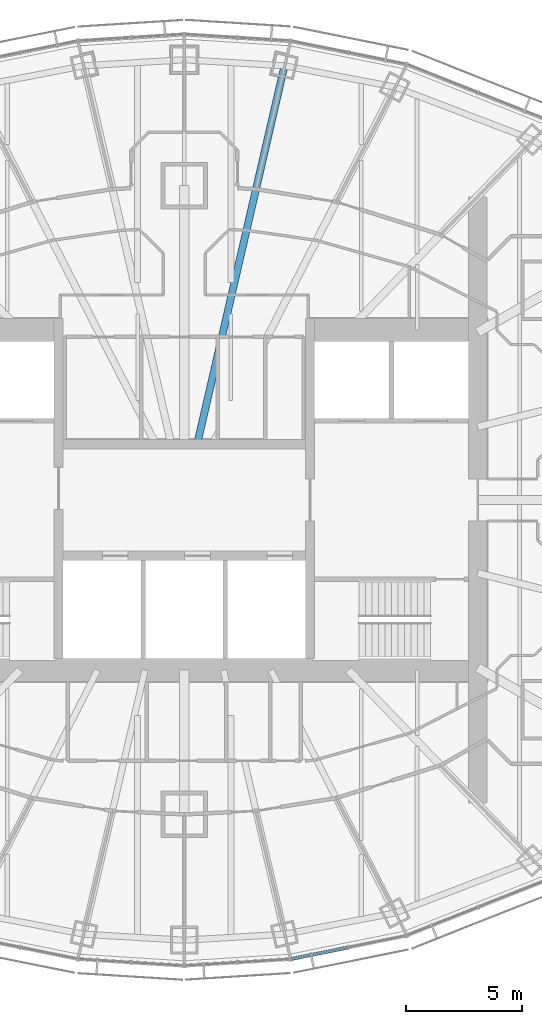
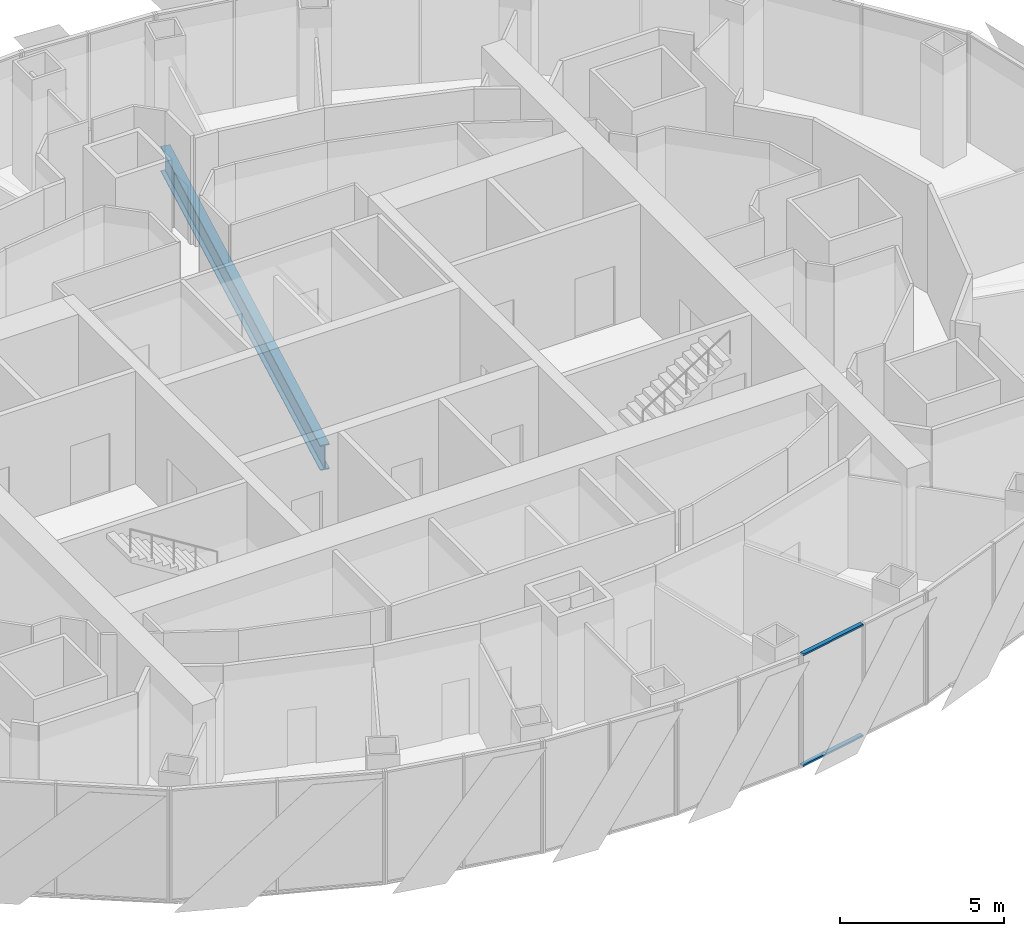
# One storey, part 5 of 18: 2 members, 1 beam, 1 element without a shape of its own.
"""IFC4 building model written with IfcOpenShell, lengths in metres."""

from ifc_helpers import new_model, si_unit, direction, frame, origin, origin_2d, place, context, subcontext, project, spatial, rectangle, i_section, extrude, material, material_profile, profile_set, type_object, element, aggregate, save


model = new_model("IFC4")

# Units and contexts
model_context = context("Model", 3, precision=1e-05, world=origin(), true_north=direction((0.0, 1.0)))
body_context = subcontext(model_context, "Body", "Model", "MODEL_VIEW")
ifc_project = project(units=[si_unit("LENGTHUNIT", "METRE"), si_unit("AREAUNIT", "SQUARE_METRE"), si_unit("VOLUMEUNIT", "CUBIC_METRE"), si_unit("PLANEANGLEUNIT", "RADIAN"), si_unit("MASSUNIT", "GRAM", prefix="KILO")], contexts=[model_context])

# Site, building, storey
site_placement = place(None, origin())
site = spatial("IfcSite", under=ifc_project, at=site_placement, CompositionType="ELEMENT")
building_placement = place(site_placement, origin())
building = spatial("IfcBuilding", under=site, at=building_placement, Name="Lantaw Convention Tower", CompositionType="ELEMENT")
storey_placement = place(building_placement, frame((0.0, 0.0, 236.800048828125)))
storey = spatial("IfcBuildingStorey", under=building, at=storey_placement, Name="L55", CompositionType="ELEMENT", Elevation=236.800048828125)

# Beam
ifc_material_1 = material(Name="Steel ASTM A992", Category="steel")
ifc_material_profile_1 = material_profile(ifc_material_1, i_section(OverallWidth=0.307373046875, OverallDepth=0.9423828125, WebThickness=0.022216796875, FlangeThickness=0.039794921875, FilletRadius=0.0126953125, at=origin_2d()), Name="W36X232")
ifc_profile_set_1 = profile_set([ifc_material_profile_1], Name="Steel ASTM A992")
beam_type = type_object("IfcBeamType", Name="Beam G W36X232", PredefinedType="BEAM", material=ifc_profile_set_1)
beam_placement = place(storey_placement, frame((0.55419921875, 2.39990234375, -0.621337890625), z_axis=(0.224948287002, 0.974370703672, 0.0), x_axis=(-0.974370703672, 0.224948287002, 0.0)))
element("IfcBeam", 1, at=beam_placement, inside=storey, type_object=beam_type, Name="Floor girder on ray 6", PredefinedType="BEAM", context=body_context, shape_type="SweptSolid", body=[
    extrude(i_section(OverallWidth=0.307373046875, OverallDepth=0.9423828125, WebThickness=0.022216796875, FlangeThickness=0.039794921875, FilletRadius=0.0126953125, at=origin_2d()), origin(), (0.0, 0.0, 1.0), 16.66943359375),
])

# Curtain wall, members
ifc_material_2 = material(Name="Aluminium framed curtain wall", Category="aluminium")
curtain_wall_type = type_object("IfcCurtainWallType", Name="Office curtain wall high rise, pale aluminium", PredefinedType="USERDEFINED", material=ifc_material_2)
curtain_wall_placement = place(storey_placement, origin())
curtain_wall = element("IfcCurtainWall", 2, at=curtain_wall_placement, inside=storey, type_object=curtain_wall_type, Name="Office curtain wall high rise, pale aluminium L55", ObjectType="UNITISED CURTAIN WALL", PredefinedType="USERDEFINED")
ifc_material_3 = material(Name="Aluminium 6063-T6", Category="aluminium")
ifc_material_profile_2 = material_profile(ifc_material_3, rectangle(XDim=0.14990234375, YDim=0.06494140625, at=origin_2d()), Name="CW-O2 transom 65x150")
ifc_profile_set_2 = profile_set([ifc_material_profile_2], Name="Aluminium 6063-T6")
member_type = type_object("IfcMemberType", Name="CW-O2 transom 65x150", PredefinedType="USERDEFINED", material=ifc_profile_set_2)
member_1_placement = place(storey_placement, frame((4.614990234375, -19.700927734375, -0.117431640625), z_axis=(0.980380354178, 0.197115096178, 0.0), x_axis=(-0.197115096178, 0.980380354178, 0.0)))
member_1 = element("IfcMember", 3, at=member_1_placement, type_object=member_type, Name="CW-O2 transom 1.1", ObjectType="TRANSOM", PredefinedType="USERDEFINED", context=body_context, shape_type="SweptSolid", body=[
    extrude(rectangle(XDim=0.14990234375, YDim=0.06494140625, at=origin_2d()), origin(), (0.0, 0.0, 1.0), 2.443603515625),
])
member_2_placement = place(storey_placement, frame((4.614990234375, -19.700927734375, 4.017333984375), z_axis=(0.980380354178, 0.197115096178, 0.0), x_axis=(-0.197115096178, 0.980380354178, 0.0)))
member_2 = element("IfcMember", 4, at=member_2_placement, type_object=member_type, Name="CW-O2 transom 1.2", ObjectType="TRANSOM", PredefinedType="USERDEFINED", context=body_context, shape_type="SweptSolid", body=[
    extrude(rectangle(XDim=0.14990234375, YDim=0.06494140625, at=origin_2d()), origin(), (0.0, 0.0, 1.0), 2.443603515625),
])
aggregate(curtain_wall, [member_1, member_2])

save(model, "model.ifc")
